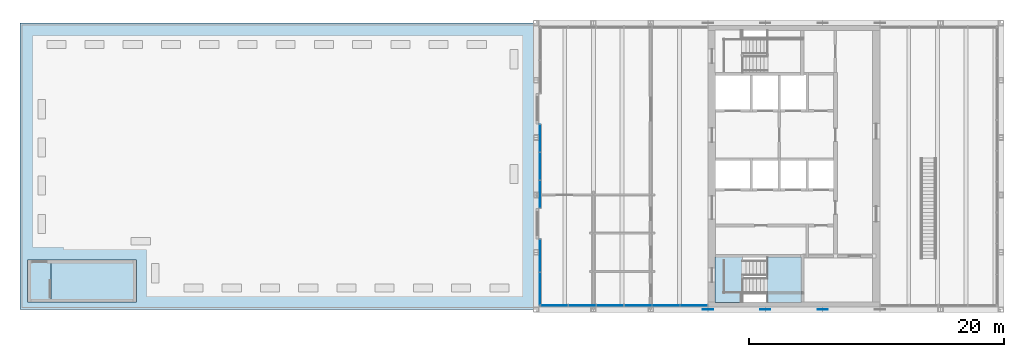
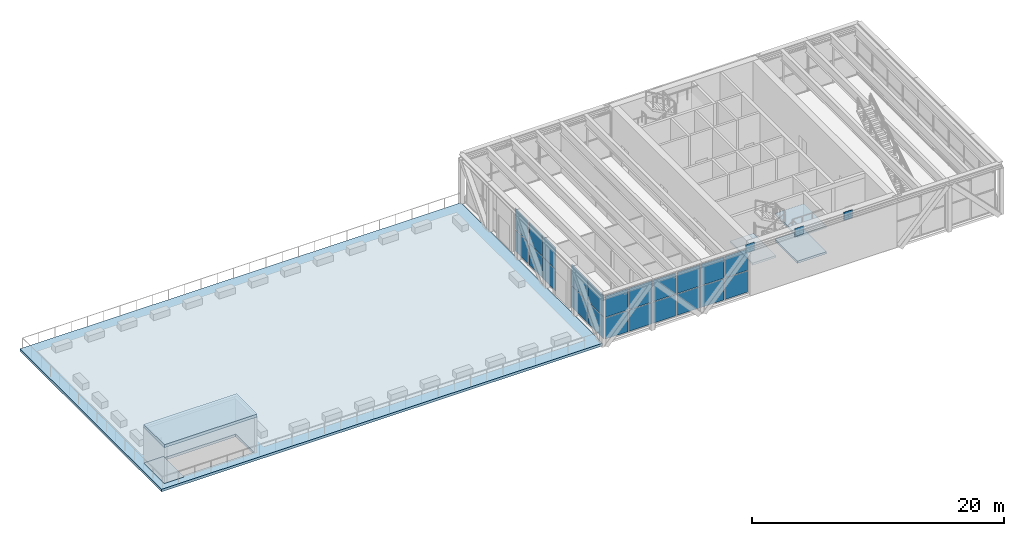
# One storey, part 5 of 13: 25 plates, 6 slabs, 5 elements without a shape of their own.
"""IFC4 building model written with IfcOpenShell, lengths in metres."""

from ifc_helpers import new_model, si_unit, direction, frame, origin, origin_2d, place, context, subcontext, project, spatial, polyline, rectangle, outline, extrude, material, layer, layer_set, type_object, element, aggregate, save


model = new_model("IFC4")

# Units and contexts
model_context = context("Model", 3, precision=1e-05, world=origin(), true_north=direction((0.0, 1.0)))
body_context = subcontext(model_context, "Body", "Model", "MODEL_VIEW")
ifc_project = project(units=[si_unit("LENGTHUNIT", "METRE"), si_unit("AREAUNIT", "SQUARE_METRE"), si_unit("VOLUMEUNIT", "CUBIC_METRE"), si_unit("PLANEANGLEUNIT", "RADIAN"), si_unit("MASSUNIT", "GRAM", prefix="KILO")], contexts=[model_context])

# Site, building, storey
site_placement = place(None, origin())
site = spatial("IfcSite", under=ifc_project, at=site_placement, CompositionType="ELEMENT")
building_placement = place(site_placement, origin())
building = spatial("IfcBuilding", under=site, at=building_placement, Name="Sennacour Bend Tower", CompositionType="ELEMENT")
storey_placement = place(building_placement, frame((0.0, 0.0, 345.5)))
storey = spatial("IfcBuildingStorey", under=building, at=storey_placement, Name="L79", CompositionType="ELEMENT", Elevation=345.5)

# Plates
ifc_material_1 = material(Name="Steel ASTM A572 Grade 50", Category="steel")
ifc_layer_1 = layer(ifc_material_1, 0.0400390625, Name="Steel ASTM A572 Grade 50", Category="steel")
ifc_layer_set_1 = layer_set([ifc_layer_1], Name="Steel ASTM A572 Grade 50")
plate_type_1 = type_object("IfcPlateType", Name="Cast-in plate 40", PredefinedType="USERDEFINED", material=ifc_layer_set_1)
for number, where, z_axis, x_axis, name in (
    (1, (54.0, 0.0, 4.15087890625), (0.0, 0.0, 1.0), (1.0, 0.0, 0.0), "Cast-in plate CP 40"),
    (2, (58.5, 0.0, 4.15087890625), (0.0, 0.0, 1.0), (1.0, 0.0, 0.0), "Cast-in plate CP 40"),
    (3, (63.0, 0.0, 4.15087890625), (0.0, 0.0, 1.0), (1.0, 0.0, 0.0), "Cast-in plate CP 40"),
):
    element("IfcPlate", number, at=place(storey_placement, frame(where, z_axis=z_axis, x_axis=x_axis)), inside=storey, type_object=plate_type_1, Name=name, ObjectType="CAST-IN PLATE", PredefinedType="USERDEFINED", context=body_context, shape_type="SweptSolid", body=[
        extrude(rectangle(XDim=0.800048828125, YDim=0.0400390625, at=origin_2d()), origin(), (0.0, 0.0, 1.0), 0.800048828125),
    ])

# Slabs
ifc_material_2 = material(Name="Concrete C40/50", Category="concrete")
ifc_layer_2 = layer(ifc_material_2, 0.25, Name="Concrete C40/50", Category="concrete")
ifc_layer_set_2 = layer_set([ifc_layer_2], Name="Concrete C40/50")
slab_type_1 = type_object("IfcSlabType", Name="Head-house floor slab 250", PredefinedType="FLOOR", material=ifc_layer_set_2)
slab_1_placement = place(storey_placement, frame((0.0, 0.0, -0.25)))
element("IfcSlab", 4, at=slab_1_placement, inside=storey, type_object=slab_type_1, Name="P-SK1-L79-FLOOR", PredefinedType="FLOOR", context=body_context, shape_type="SweptSolid", body=[
    extrude(outline(polyline([(0.60009765625, 0.60009765625), (2.429931640625, 0.60009765625), (2.429931640625, 3.875), (0.60009765625, 3.875), (0.60009765625, 0.60009765625)])), origin(), (0.0, 0.0, 1.0), 0.25),
])
ifc_layer_3 = layer(ifc_material_2, 0.300048828125, Name="Concrete C40/50", Category="concrete")
ifc_layer_set_3 = layer_set([ifc_layer_3], Name="Concrete C40/50")
slab_type_2 = type_object("IfcSlabType", Name="Head-house roof slab 300", PredefinedType="ROOF", material=ifc_layer_set_3)
slab_2_placement = place(storey_placement, frame((0.0, 0.0, 3.449951171875)))
element("IfcSlab", 5, at=slab_2_placement, inside=storey, type_object=slab_type_2, Name="P-L79-SK1-ROOF", PredefinedType="ROOF", context=body_context, shape_type="SweptSolid", body=[
    extrude(outline(polyline([(0.60009765625, 0.60009765625), (9.125, 0.60009765625), (9.125, 3.875), (0.60009765625, 3.875), (0.60009765625, 0.60009765625)])), origin(), (0.0, 0.0, 1.0), 0.300048828125),
])

# Curtain wall, plates
ifc_material_3 = material(Name="Bronze anodised aluminium curtain wall with clear glass", Category="aluminium")
curtain_wall_type = type_object("IfcCurtainWallType", Name="CURTAIN WALL LOUNGE", PredefinedType="NOTDEFINED", material=ifc_material_3)
curtain_wall_1_placement = place(storey_placement, origin())
curtain_wall_1 = element("IfcCurtainWall", 6, at=curtain_wall_1_placement, inside=storey, type_object=curtain_wall_type, Name="Sky lounge glass wall L79", PredefinedType="NOTDEFINED")
ifc_material_4 = material(Name="Clear low-emissivity glass", Category="glass")
ifc_layer_4 = layer(ifc_material_4, 0.031982421875, Name="Clear low-emissivity glass", Category="glass")
ifc_layer_set_4 = layer_set([ifc_layer_4], Name="Clear low-emissivity glass")
plate_type_2 = type_object("IfcPlateType", Name="PNL-GLASS-IGU32", PredefinedType="CURTAIN_PANEL", material=ifc_layer_set_4)
plate_1_placement = place(storey_placement, frame((40.824951171875, 1.646240234375, 0.06005859375), z_axis=(0.0, 0.0, 1.0), x_axis=(0.0, 1.0, 0.0)))
plate_1 = element("IfcPlate", 7, at=plate_1_placement, type_object=plate_type_2, Name="GW4 curtain wall panel 1.1", PredefinedType="CURTAIN_PANEL", context=body_context, shape_type="SweptSolid", body=[
    extrude(rectangle(XDim=2.5224609375, YDim=0.031982421875, at=origin_2d()), origin(), (0.0, 0.0, 1.0), 2.06103515625),
])
plate_2_placement = place(storey_placement, frame((40.824951171875, 1.646240234375, 2.180908203125), z_axis=(0.0, 0.0, 1.0), x_axis=(0.0, 1.0, 0.0)))
plate_2 = element("IfcPlate", 8, at=plate_2_placement, type_object=plate_type_2, Name="GW4 curtain wall panel 1.2", PredefinedType="CURTAIN_PANEL", context=body_context, shape_type="SweptSolid", body=[
    extrude(rectangle(XDim=2.5224609375, YDim=0.031982421875, at=origin_2d()), origin(), (0.0, 0.0, 1.0), 2.06103515625),
])
plate_3_placement = place(storey_placement, frame((40.824951171875, 4.228759765625, 0.06005859375), z_axis=(0.0, 0.0, 1.0), x_axis=(0.0, 1.0, 0.0)))
plate_3 = element("IfcPlate", 9, at=plate_3_placement, type_object=plate_type_2, Name="GW4 curtain wall panel 2.1", PredefinedType="CURTAIN_PANEL", context=body_context, shape_type="SweptSolid", body=[
    extrude(rectangle(XDim=2.5224609375, YDim=0.031982421875, at=origin_2d()), origin(), (0.0, 0.0, 1.0), 2.06103515625),
])
plate_4_placement = place(storey_placement, frame((40.824951171875, 4.228759765625, 2.180908203125), z_axis=(0.0, 0.0, 1.0), x_axis=(0.0, 1.0, 0.0)))
plate_4 = element("IfcPlate", 10, at=plate_4_placement, type_object=plate_type_2, Name="GW4 curtain wall panel 2.2", PredefinedType="CURTAIN_PANEL", context=body_context, shape_type="SweptSolid", body=[
    extrude(rectangle(XDim=2.5224609375, YDim=0.031982421875, at=origin_2d()), origin(), (0.0, 0.0, 1.0), 2.06103515625),
])
aggregate(curtain_wall_1, [plate_1, plate_2, plate_3, plate_4])

curtain_wall_2_placement = place(storey_placement, origin())
curtain_wall_2 = element("IfcCurtainWall", 11, at=curtain_wall_2_placement, inside=storey, type_object=curtain_wall_type, Name="Sky lounge glass wall L79", PredefinedType="NOTDEFINED")
plate_5_placement = place(storey_placement, frame((40.824951171875, 9.06494140625, 0.06005859375), z_axis=(0.0, 0.0, 1.0), x_axis=(0.0, 1.0, 0.0)))
plate_5 = element("IfcPlate", 12, at=plate_5_placement, type_object=plate_type_2, Name="GW4 curtain wall panel 1.1", PredefinedType="CURTAIN_PANEL", context=body_context, shape_type="SweptSolid", body=[
    extrude(rectangle(XDim=2.110107421875, YDim=0.031982421875, at=origin_2d()), origin(), (0.0, 0.0, 1.0), 2.06103515625),
])
plate_6_placement = place(storey_placement, frame((40.824951171875, 9.06494140625, 2.180908203125), z_axis=(0.0, 0.0, 1.0), x_axis=(0.0, 1.0, 0.0)))
plate_6 = element("IfcPlate", 13, at=plate_6_placement, type_object=plate_type_2, Name="GW4 curtain wall panel 1.2", PredefinedType="CURTAIN_PANEL", context=body_context, shape_type="SweptSolid", body=[
    extrude(rectangle(XDim=2.110107421875, YDim=0.031982421875, at=origin_2d()), origin(), (0.0, 0.0, 1.0), 2.06103515625),
])
plate_7_placement = place(storey_placement, frame((40.824951171875, 11.25, 0.06005859375), z_axis=(0.0, 0.0, 1.0), x_axis=(0.0, 1.0, 0.0)))
plate_7 = element("IfcPlate", 14, at=plate_7_placement, type_object=plate_type_2, Name="GW4 curtain wall panel 2.1", PredefinedType="CURTAIN_PANEL", context=body_context, shape_type="SweptSolid", body=[
    extrude(rectangle(XDim=2.139892578125, YDim=0.031982421875, at=origin_2d()), origin(), (0.0, 0.0, 1.0), 2.06103515625),
])
plate_8_placement = place(storey_placement, frame((40.824951171875, 11.25, 2.180908203125), z_axis=(0.0, 0.0, 1.0), x_axis=(0.0, 1.0, 0.0)))
plate_8 = element("IfcPlate", 15, at=plate_8_placement, type_object=plate_type_2, Name="GW4 curtain wall panel 2.2", PredefinedType="CURTAIN_PANEL", context=body_context, shape_type="SweptSolid", body=[
    extrude(rectangle(XDim=2.139892578125, YDim=0.031982421875, at=origin_2d()), origin(), (0.0, 0.0, 1.0), 2.06103515625),
])
plate_9_placement = place(storey_placement, frame((40.824951171875, 13.43505859375, 0.06005859375), z_axis=(0.0, 0.0, 1.0), x_axis=(0.0, 1.0, 0.0)))
plate_9 = element("IfcPlate", 16, at=plate_9_placement, type_object=plate_type_2, Name="GW4 curtain wall panel 3.1", PredefinedType="CURTAIN_PANEL", context=body_context, shape_type="SweptSolid", body=[
    extrude(rectangle(XDim=2.110107421875, YDim=0.031982421875, at=origin_2d()), origin(), (0.0, 0.0, 1.0), 2.06103515625),
])
plate_10_placement = place(storey_placement, frame((40.824951171875, 13.43505859375, 2.180908203125), z_axis=(0.0, 0.0, 1.0), x_axis=(0.0, 1.0, 0.0)))
plate_10 = element("IfcPlate", 17, at=plate_10_placement, type_object=plate_type_2, Name="GW4 curtain wall panel 3.2", PredefinedType="CURTAIN_PANEL", context=body_context, shape_type="SweptSolid", body=[
    extrude(rectangle(XDim=2.110107421875, YDim=0.031982421875, at=origin_2d()), origin(), (0.0, 0.0, 1.0), 2.06103515625),
])
aggregate(curtain_wall_2, [plate_5, plate_6, plate_7, plate_8, plate_9, plate_10])

curtain_wall_3_placement = place(storey_placement, origin())
curtain_wall_3 = element("IfcCurtainWall", 18, at=curtain_wall_3_placement, inside=storey, type_object=curtain_wall_type, Name="Sky lounge glass wall L79", PredefinedType="NOTDEFINED")
plate_11_placement = place(storey_placement, frame((41.937744140625, 0.324951171875, 0.06005859375), z_axis=(0.0, 0.0, 1.0), x_axis=(1.0, 0.0, 0.0)))
plate_11 = element("IfcPlate", 19, at=plate_11_placement, type_object=plate_type_2, Name="GW4 curtain wall panel 1.1", PredefinedType="CURTAIN_PANEL", context=body_context, shape_type="SweptSolid", body=[
    extrude(rectangle(XDim=2.105712890625, YDim=0.031982421875, at=origin_2d()), origin(), (0.0, 0.0, 1.0), 2.06103515625),
])
plate_12_placement = place(storey_placement, frame((41.937744140625, 0.324951171875, 2.180908203125), z_axis=(0.0, 0.0, 1.0), x_axis=(1.0, 0.0, 0.0)))
plate_12 = element("IfcPlate", 20, at=plate_12_placement, type_object=plate_type_2, Name="GW4 curtain wall panel 1.2", PredefinedType="CURTAIN_PANEL", context=body_context, shape_type="SweptSolid", body=[
    extrude(rectangle(XDim=2.105712890625, YDim=0.031982421875, at=origin_2d()), origin(), (0.0, 0.0, 1.0), 2.06103515625),
])
plate_13_placement = place(storey_placement, frame((44.118408203125, 0.324951171875, 0.06005859375), z_axis=(0.0, 0.0, 1.0), x_axis=(1.0, 0.0, 0.0)))
plate_13 = element("IfcPlate", 21, at=plate_13_placement, type_object=plate_type_2, Name="GW4 curtain wall panel 2.1", PredefinedType="CURTAIN_PANEL", context=body_context, shape_type="SweptSolid", body=[
    extrude(rectangle(XDim=2.1357421875, YDim=0.031982421875, at=origin_2d()), origin(), (0.0, 0.0, 1.0), 2.06103515625),
])
plate_14_placement = place(storey_placement, frame((44.118408203125, 0.324951171875, 2.180908203125), z_axis=(0.0, 0.0, 1.0), x_axis=(1.0, 0.0, 0.0)))
plate_14 = element("IfcPlate", 22, at=plate_14_placement, type_object=plate_type_2, Name="GW4 curtain wall panel 2.2", PredefinedType="CURTAIN_PANEL", context=body_context, shape_type="SweptSolid", body=[
    extrude(rectangle(XDim=2.1357421875, YDim=0.031982421875, at=origin_2d()), origin(), (0.0, 0.0, 1.0), 2.06103515625),
])
plate_15_placement = place(storey_placement, frame((46.299072265625, 0.324951171875, 0.06005859375), z_axis=(0.0, 0.0, 1.0), x_axis=(1.0, 0.0, 0.0)))
plate_15 = element("IfcPlate", 23, at=plate_15_placement, type_object=plate_type_2, Name="GW4 curtain wall panel 3.1", PredefinedType="CURTAIN_PANEL", context=body_context, shape_type="SweptSolid", body=[
    extrude(rectangle(XDim=2.105712890625, YDim=0.031982421875, at=origin_2d()), origin(), (0.0, 0.0, 1.0), 2.06103515625),
])
plate_16_placement = place(storey_placement, frame((46.299072265625, 0.324951171875, 2.180908203125), z_axis=(0.0, 0.0, 1.0), x_axis=(1.0, 0.0, 0.0)))
plate_16 = element("IfcPlate", 24, at=plate_16_placement, type_object=plate_type_2, Name="GW4 curtain wall panel 3.2", PredefinedType="CURTAIN_PANEL", context=body_context, shape_type="SweptSolid", body=[
    extrude(rectangle(XDim=2.105712890625, YDim=0.031982421875, at=origin_2d()), origin(), (0.0, 0.0, 1.0), 2.06103515625),
])
aggregate(curtain_wall_3, [plate_11, plate_12, plate_13, plate_14, plate_15, plate_16])

curtain_wall_4_placement = place(storey_placement, origin())
curtain_wall_4 = element("IfcCurtainWall", 25, at=curtain_wall_4_placement, inside=storey, type_object=curtain_wall_type, Name="Sky lounge glass wall L79", PredefinedType="NOTDEFINED")
plate_17_placement = place(storey_placement, frame((48.52490234375, 0.324951171875, 0.06005859375), z_axis=(0.0, 0.0, 1.0), x_axis=(1.0, 0.0, 0.0)))
plate_17 = element("IfcPlate", 26, at=plate_17_placement, type_object=plate_type_2, Name="GW4 curtain wall panel 1.1", PredefinedType="CURTAIN_PANEL", context=body_context, shape_type="SweptSolid", body=[
    extrude(rectangle(XDim=2.105712890625, YDim=0.031982421875, at=origin_2d()), origin(), (0.0, 0.0, 1.0), 2.06103515625),
])
plate_18_placement = place(storey_placement, frame((48.52490234375, 0.324951171875, 2.180908203125), z_axis=(0.0, 0.0, 1.0), x_axis=(1.0, 0.0, 0.0)))
plate_18 = element("IfcPlate", 27, at=plate_18_placement, type_object=plate_type_2, Name="GW4 curtain wall panel 1.2", PredefinedType="CURTAIN_PANEL", context=body_context, shape_type="SweptSolid", body=[
    extrude(rectangle(XDim=2.105712890625, YDim=0.031982421875, at=origin_2d()), origin(), (0.0, 0.0, 1.0), 2.06103515625),
])
plate_19_placement = place(storey_placement, frame((50.70556640625, 0.324951171875, 0.06005859375), z_axis=(0.0, 0.0, 1.0), x_axis=(1.0, 0.0, 0.0)))
plate_19 = element("IfcPlate", 28, at=plate_19_placement, type_object=plate_type_2, Name="GW4 curtain wall panel 2.1", PredefinedType="CURTAIN_PANEL", context=body_context, shape_type="SweptSolid", body=[
    extrude(rectangle(XDim=2.1357421875, YDim=0.031982421875, at=origin_2d()), origin(), (0.0, 0.0, 1.0), 2.06103515625),
])
plate_20_placement = place(storey_placement, frame((50.70556640625, 0.324951171875, 2.180908203125), z_axis=(0.0, 0.0, 1.0), x_axis=(1.0, 0.0, 0.0)))
plate_20 = element("IfcPlate", 29, at=plate_20_placement, type_object=plate_type_2, Name="GW4 curtain wall panel 2.2", PredefinedType="CURTAIN_PANEL", context=body_context, shape_type="SweptSolid", body=[
    extrude(rectangle(XDim=2.1357421875, YDim=0.031982421875, at=origin_2d()), origin(), (0.0, 0.0, 1.0), 2.06103515625),
])
plate_21_placement = place(storey_placement, frame((52.88623046875, 0.324951171875, 0.06005859375), z_axis=(0.0, 0.0, 1.0), x_axis=(1.0, 0.0, 0.0)))
plate_21 = element("IfcPlate", 30, at=plate_21_placement, type_object=plate_type_2, Name="GW4 curtain wall panel 3.1", PredefinedType="CURTAIN_PANEL", context=body_context, shape_type="SweptSolid", body=[
    extrude(rectangle(XDim=2.105712890625, YDim=0.031982421875, at=origin_2d()), origin(), (0.0, 0.0, 1.0), 2.06103515625),
])
plate_22_placement = place(storey_placement, frame((52.88623046875, 0.324951171875, 2.180908203125), z_axis=(0.0, 0.0, 1.0), x_axis=(1.0, 0.0, 0.0)))
plate_22 = element("IfcPlate", 31, at=plate_22_placement, type_object=plate_type_2, Name="GW4 curtain wall panel 3.2", PredefinedType="CURTAIN_PANEL", context=body_context, shape_type="SweptSolid", body=[
    extrude(rectangle(XDim=2.105712890625, YDim=0.031982421875, at=origin_2d()), origin(), (0.0, 0.0, 1.0), 2.06103515625),
])
aggregate(curtain_wall_4, [plate_17, plate_18, plate_19, plate_20, plate_21, plate_22])

# Slab
ifc_layer_5 = layer(ifc_material_2, 0.25, Name="Concrete C40/50", Category="concrete")
ifc_layer_set_5 = layer_set([ifc_layer_5], Name="Concrete C40/50")
slab_type_3 = type_object("IfcSlabType", Name="Roof slab 250", PredefinedType="ROOF", material=ifc_layer_set_5)
slab_3_placement = place(storey_placement, frame((0.0, 0.0, -0.25)))
element("IfcSlab", 32, at=slab_3_placement, inside=storey, type_object=slab_type_3, Name="Roof slab Exec Roof", PredefinedType="ROOF", context=body_context, shape_type="SweptSolid", body=[
    extrude(outline(polyline([(22.5, 22.5), (40.469970703125, 22.5), (40.469970703125, 0.0), (22.5, 0.0), (0.0, 0.0), (0.0, 22.5), (22.5, 22.5)]), holes=[polyline([(2.429931640625, 0.800048828125), (8.925048828125, 0.800048828125), (8.925048828125, 3.675048828125), (2.429931640625, 3.675048828125), (2.429931640625, 3.875), (0.60009765625, 3.875), (0.60009765625, 0.60009765625), (2.429931640625, 0.60009765625), (2.429931640625, 0.800048828125)])]), origin(), (0.0, 0.0, 1.0), 0.25),
])

# Stair, slabs
stair_type = type_object("IfcStairType", Name="ST-DOGLEG", PredefinedType="HALF_TURN_STAIR", material=ifc_material_2)
stair_placement = place(storey_placement, origin())
stair = element("IfcStair", 33, at=stair_placement, inside=storey, type_object=stair_type, Name="L79 Exit stair A1", PredefinedType="HALF_TURN_STAIR")
ifc_layer_6 = layer(ifc_material_2, 0.199951171875, Name="Concrete C40/50", Category="concrete")
ifc_layer_set_6 = layer_set([ifc_layer_6], Name="Concrete C40/50")
slab_type_4 = type_object("IfcSlabType", Name="Stair landing 200", PredefinedType="LANDING", material=ifc_layer_set_6)
slab_4_placement = place(storey_placement, frame((0.0, 0.0, 1.050048828125)))
slab_4 = element("IfcSlab", 34, at=slab_4_placement, type_object=slab_type_4, Name="SA1 landing 1", PredefinedType="LANDING", context=body_context, shape_type="SweptSolid", body=[
    extrude(outline(polyline([(58.659912109375, 0.550048828125), (61.324951171875, 0.550048828125), (61.324951171875, 4.125), (58.659912109375, 4.125), (58.659912109375, 0.550048828125)])), origin(), (0.0, 0.0, 1.0), 0.199951171875),
])
slab_5_placement = place(storey_placement, frame((0.0, 0.0, 2.300048828125)))
slab_5 = element("IfcSlab", 35, at=slab_5_placement, type_object=slab_type_4, Name="SA1 landing 2", PredefinedType="LANDING", context=body_context, shape_type="SweptSolid", body=[
    extrude(outline(polyline([(54.550048828125, 0.550048828125), (56.699951171875, 0.550048828125), (56.699951171875, 4.125), (54.550048828125, 4.125), (54.550048828125, 0.550048828125)])), origin(), (0.0, 0.0, 1.0), 0.199951171875),
])
slab_6_placement = place(storey_placement, frame((0.0, 0.0, 3.550048828125)))
slab_6 = element("IfcSlab", 36, at=slab_6_placement, type_object=slab_type_4, Name="SA1 landing 3", PredefinedType="LANDING", context=body_context, shape_type="SweptSolid", body=[
    extrude(outline(polyline([(58.659912109375, 0.550048828125), (61.324951171875, 0.550048828125), (61.324951171875, 4.125), (58.659912109375, 4.125), (58.659912109375, 0.550048828125)])), origin(), (0.0, 0.0, 1.0), 0.199951171875),
])
aggregate(stair, [slab_4, slab_5, slab_6])

save(model, "model.ifc")
